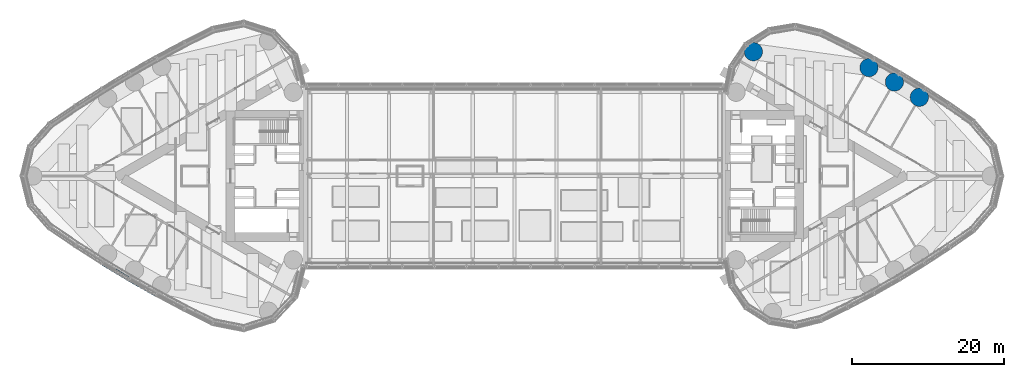
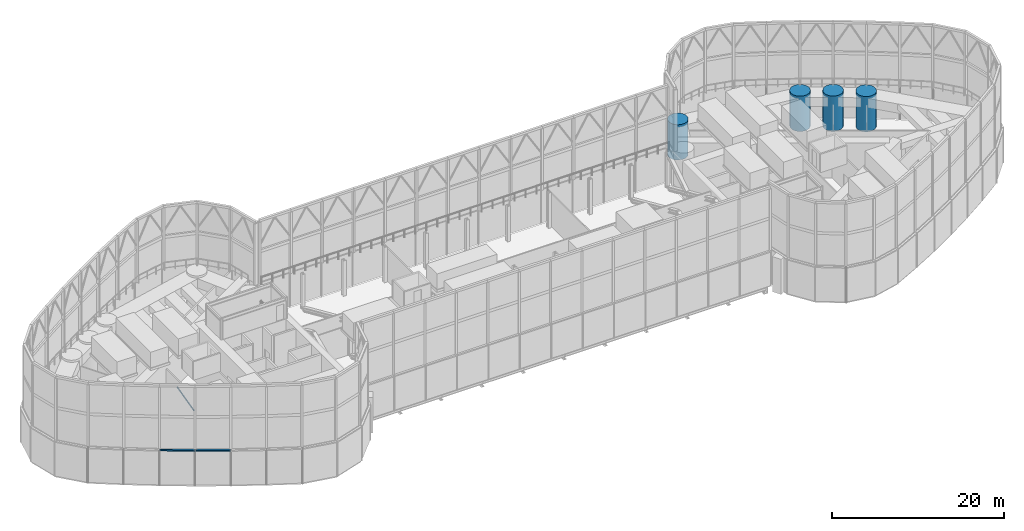
# One storey, part 6 of 33: 4 columns, 3 members, 2 elements without a shape of their own.
"""IFC4 building model written with IfcOpenShell, lengths in metres."""

from ifc_helpers import new_model, si_unit, direction, frame, origin, origin_2d, place, context, subcontext, project, spatial, rectangle, circle, hollow_circle, extrude, material, material_profile, profile_set, type_object, element, aggregate, save


model = new_model("IFC4")

# Units and contexts
model_context = context("Model", 3, precision=1e-05, world=origin(), true_north=direction((0.0, 1.0)))
body_context = subcontext(model_context, "Body", "Model", "MODEL_VIEW")
ifc_project = project(units=[si_unit("LENGTHUNIT", "METRE"), si_unit("AREAUNIT", "SQUARE_METRE"), si_unit("VOLUMEUNIT", "CUBIC_METRE"), si_unit("PLANEANGLEUNIT", "RADIAN"), si_unit("MASSUNIT", "GRAM", prefix="KILO")], contexts=[model_context])

# Site, building, storey
site_placement = place(None, origin())
site = spatial("IfcSite", under=ifc_project, at=site_placement, CompositionType="ELEMENT")
building_placement = place(site_placement, origin())
building = spatial("IfcBuilding", under=site, at=building_placement, Name="Lancet Gate Hotel", CompositionType="ELEMENT")
storey_placement = place(building_placement, frame((0.0, 0.0, 268.300048828125)))
storey = spatial("IfcBuildingStorey", under=building, at=storey_placement, Name="L70", CompositionType="ELEMENT", Elevation=268.300048828125)

# Columns
ifc_material_1 = material(Name="Concrete C50/60", Category="concrete")
ifc_material_profile_1 = material_profile(ifc_material_1, circle(Radius=1.199951171875, at=origin_2d()), Name="RC D2400")
ifc_profile_set_1 = profile_set([ifc_material_profile_1], Name="Concrete C50/60")
column_type = type_object("IfcColumnType", Name="Perimeter column RC D2400", PredefinedType="COLUMN", material=ifc_profile_set_1)
for number, where, z_axis, x_axis, name in (
    (1, (31.328369140625, 16.310791015625, 0.0), (0.0, 0.0, 1.0), (1.0, 0.0, 0.0), "T2 column CN L70"),
    (2, (53.107666015625, 10.333984375, 0.0), (0.0, 0.0, 1.0), (1.0, 0.0, 0.0), "T2 column ON1 L70"),
    (3, (49.833984375, 12.331787109375, 0.0), (0.0, 0.0, 1.0), (1.0, 0.0, 0.0), "T2 column ON2 L70"),
    (4, (46.499267578125, 14.2255859375, 0.0), (0.0, 0.0, 1.0), (1.0, 0.0, 0.0), "T2 column ON3 L70"),
):
    element("IfcColumn", number, at=place(storey_placement, frame(where, z_axis=z_axis, x_axis=x_axis)), inside=storey, type_object=column_type, Name=name, PredefinedType="COLUMN", context=body_context, shape_type="SweptSolid", body=[
        extrude(circle(Radius=1.199951171875, at=origin_2d()), origin(), (0.0, 0.0, 1.0), 5.0),
    ])

# Curtain wall, members
ifc_material_2 = material(Name="Aluminium curtain wall", Category="aluminium")
curtain_wall_type_1 = type_object("IfcCurtainWallType", Name="Lantern crown glazing", PredefinedType="USERDEFINED", material=ifc_material_2)
curtain_wall_1_placement = place(storey_placement, origin())
curtain_wall_1 = element("IfcCurtainWall", 5, at=curtain_wall_1_placement, inside=storey, type_object=curtain_wall_type_1, Name="T1 L70 curtain wall 1", ObjectType="LANTERN GLAZING", PredefinedType="USERDEFINED")
ifc_material_3 = material(Name="Aluminium transom", Category="aluminium")
ifc_material_profile_2 = material_profile(ifc_material_3, rectangle(XDim=0.25, YDim=0.14990234375, at=origin_2d()), Name="TRANSOM 250x150")
ifc_profile_set_2 = profile_set([ifc_material_profile_2], Name="Aluminium transom")
member_type_1 = type_object("IfcMemberType", Name="Aluminium transom 250x150", PredefinedType="USERDEFINED", material=ifc_profile_set_2)
member_1_placement = place(storey_placement, frame((-54.197998046875, -11.55224609375, 4.925048828125), z_axis=(0.856362214892, -0.516375596737, 0.0), x_axis=(0.516375596737, 0.856362214892, 0.0)))
member_1 = element("IfcMember", 6, at=member_1_placement, type_object=member_type_1, Name="T1 L70 curtain wall 1 transom 17", ObjectType="TRANSOM", PredefinedType="USERDEFINED", context=body_context, shape_type="SweptSolid", body=[
    extrude(rectangle(XDim=0.25, YDim=0.14990234375, at=origin_2d()), origin(), (0.0, 0.0, 1.0), 4.08447265625),
])
member_2_placement = place(storey_placement, frame((-50.644287109375, -13.694091796875, 4.925048828125), z_axis=(0.869977740049, -0.493090997503, 0.0), x_axis=(0.493090997503, 0.869977740049, 0.0)))
member_2 = element("IfcMember", 7, at=member_2_placement, type_object=member_type_1, Name="T1 L70 curtain wall 1 transom 18", ObjectType="TRANSOM", PredefinedType="USERDEFINED", context=body_context, shape_type="SweptSolid", body=[
    extrude(rectangle(XDim=0.25, YDim=0.14990234375, at=origin_2d()), origin(), (0.0, 0.0, 1.0), 4.084228515625),
])
aggregate(curtain_wall_1, [member_1, member_2])

# Curtain wall, member
ifc_material_4 = material(Name="Steel framed lantern screen", Category="steel")
curtain_wall_type_2 = type_object("IfcCurtainWallType", Name="Lantern screen", PredefinedType="USERDEFINED", material=ifc_material_4)
curtain_wall_2_placement = place(storey_placement, origin())
curtain_wall_2 = element("IfcCurtainWall", 8, at=curtain_wall_2_placement, inside=storey, type_object=curtain_wall_type_2, Name="T1 lantern screen 1", ObjectType="LANTERN SCREEN", PredefinedType="USERDEFINED")
ifc_material_5 = material(Name="Steel S355", Category="steel")
ifc_material_profile_3 = material_profile(ifc_material_5, hollow_circle(Radius=0.084228515625, WallThickness=0.008056640625, at=origin_2d()), Name="CHS 168.3x8.0")
ifc_profile_set_3 = profile_set([ifc_material_profile_3], Name="Steel S355")
member_type_2 = type_object("IfcMemberType", Name="Lantern lancet head CHS 168.3x8", PredefinedType="USERDEFINED", material=ifc_profile_set_3)
member_3_placement = place(storey_placement, frame((-50.59765625, -13.302734375, 10.300048828125), z_axis=(-0.433284785577, 0.261228426133, 0.862568260469), x_axis=(-0.516322217273, -0.856394399766, 0.0)))
member_3 = element("IfcMember", 9, at=member_3_placement, type_object=member_type_2, Name="T1 lantern screen 1 lancet head 17B", ObjectType="LANTERN FRAME", PredefinedType="USERDEFINED", context=body_context, shape_type="SweptSolid", body=[
    extrude(hollow_circle(Radius=0.084228515625, WallThickness=0.008056640625, at=origin_2d()), origin(), (0.0, 0.0, 1.0), 3.843994140625),
])
aggregate(curtain_wall_2, [member_3])

save(model, "model.ifc")
